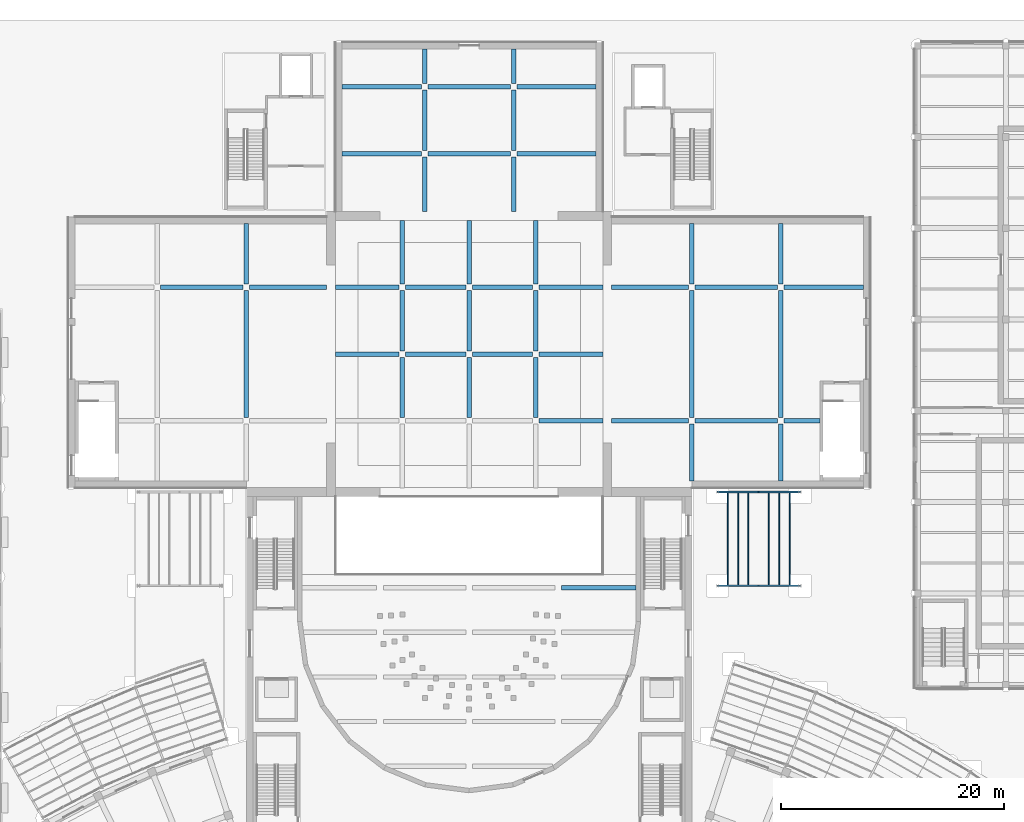
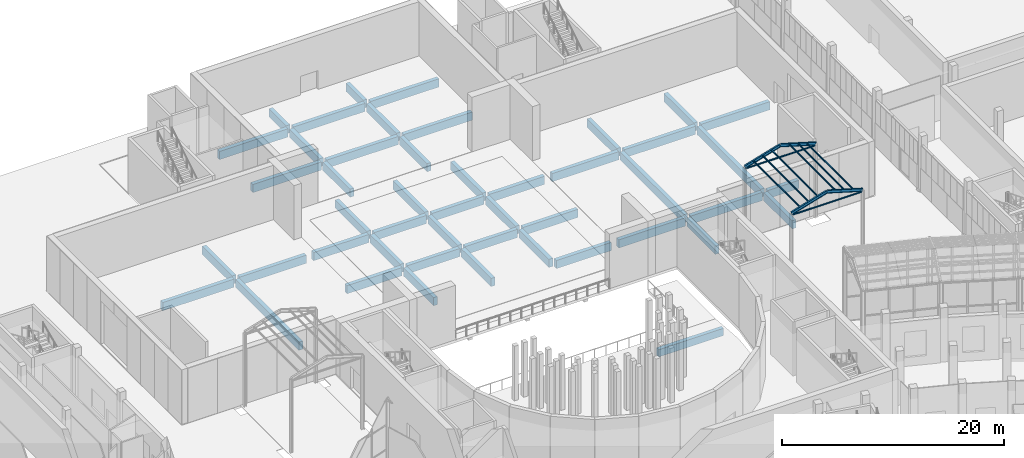
# One storey, part 48 of 155: 53 beams, 6 members.
"""IFC4 building model written with IfcOpenShell, lengths in metres."""

from ifc_helpers import new_model, si_unit, direction, frame, origin, origin_2d, place, context, subcontext, project, spatial, rectangle, hollow_rectangle, i_section, extrude, material, material_profile, profile_set, type_object, element, save


model = new_model("IFC4")

# Units and contexts
model_context = context("Model", 3, precision=1e-05, world=origin(), true_north=direction((0.0, 1.0)))
body_context = subcontext(model_context, "Body", "Model", "MODEL_VIEW")
ifc_project = project(units=[si_unit("LENGTHUNIT", "METRE"), si_unit("AREAUNIT", "SQUARE_METRE"), si_unit("VOLUMEUNIT", "CUBIC_METRE"), si_unit("PLANEANGLEUNIT", "RADIAN"), si_unit("MASSUNIT", "GRAM", prefix="KILO")], contexts=[model_context])

# Site, building, storey
site_placement = place(None, origin())
site = spatial("IfcSite", under=ifc_project, at=site_placement, CompositionType="ELEMENT")
building_placement = place(site_placement, origin())
building = spatial("IfcBuilding", under=site, at=building_placement, Name="Lunette Opera House", CompositionType="ELEMENT")
storey_placement = place(building_placement, origin())
storey = spatial("IfcBuildingStorey", under=building, at=storey_placement, Name="L00", CompositionType="ELEMENT", Elevation=0.0)

# Members
ifc_material_1 = material(Name="Steel S355", Category="steel")
ifc_material_profile_1 = material_profile(ifc_material_1, i_section(OverallWidth=0.08203125, OverallDepth=0.159912109375, WebThickness=0.0048828125, FlangeThickness=0.00732421875, FilletRadius=0.009033203125, at=origin_2d()), Name="IPE 160")
ifc_profile_set_1 = profile_set([ifc_material_profile_1], Name="Steel S355")
member_type = type_object("IfcMemberType", Name="PURLIN IPE 160", PredefinedType="PURLIN", material=ifc_profile_set_1)
for number, where, z_axis, x_axis, name in (
    (1, (119.22509765625, 87.199951171875, 8.47509765625), (0.0, 1.0, 0.0), (-1.0, 0.0, 0.0), "mem-PP-L00-PUFLE4A1872"),
    (2, (124.77490234375, 87.199951171875, 8.47509765625), (0.0, 1.0, 0.0), (-1.0, 0.0, 0.0), "mem-PP-L00-PUFLE4B1872"),
    (3, (120.14990234375, 87.199951171875, 8.75), (0.0, 1.0, 0.0), (-1.0, 0.0, 0.0), "mem-PP-L00-PUFLE4A2872"),
    (4, (123.85009765625, 87.199951171875, 8.75), (0.0, 1.0, 0.0), (-1.0, 0.0, 0.0), "mem-PP-L00-PUFLE4B2872"),
    (5, (121.074951171875, 87.199951171875, 9.02490234375), (0.0, 1.0, 0.0), (-1.0, 0.0, 0.0), "mem-PP-L00-PUFLE4A3872"),
    (6, (122.925048828125, 87.199951171875, 9.02490234375), (0.0, 1.0, 0.0), (-1.0, 0.0, 0.0), "mem-PP-L00-PUFLE4B3872"),
):
    element("IfcMember", number, at=place(storey_placement, frame(where, z_axis=z_axis, x_axis=x_axis)), inside=storey, type_object=member_type, Name=name, PredefinedType="PURLIN", context=body_context, shape_type="SweptSolid", body=[
        extrude(i_section(OverallWidth=0.08203125, OverallDepth=0.159912109375, WebThickness=0.0048828125, FlangeThickness=0.00732421875, FilletRadius=0.009033203125, at=origin_2d()), origin(), (0.0, 0.0, 1.0), 8.400146484375),
    ])

# Beams
ifc_material_2 = material(Name="Concrete C35/45", Category="concrete")
ifc_material_profile_2 = material_profile(ifc_material_2, rectangle(XDim=0.39990234375, YDim=0.800048828125, at=origin_2d()), Name="RC BEAM 400X800")
ifc_profile_set_2 = profile_set([ifc_material_profile_2], Name="Concrete C35/45")
beam_type_1 = type_object("IfcBeamType", Name="RC BEAM 400X800", PredefinedType="BEAM", material=ifc_profile_set_2)
beam_1_placement = place(storey_placement, frame((104.300048828125, 87.0, -2.10595703125), z_axis=(1.0, 0.0, 0.0), x_axis=(0.0, 1.0, 0.0)))
element("IfcBeam", 7, at=beam_1_placement, inside=storey, type_object=beam_type_1, Name="beam-AU-L00-ST87-4", PredefinedType="BEAM", context=body_context, shape_type="SweptSolid", body=[
    extrude(rectangle(XDim=0.39990234375, YDim=0.800048828125, at=origin_2d()), origin(), (0.0, 0.0, 1.0), 6.699951171875),
])
ifc_material_3 = material(Name="Concrete C35/45", Category="concrete")
ifc_material_profile_3 = material_profile(ifc_material_3, rectangle(XDim=0.39990234375, YDim=0.89990234375, at=origin_2d()), Name="RC BEAM 400X900")
ifc_profile_set_3 = profile_set([ifc_material_profile_3], Name="Concrete C35/45")
beam_type_2 = type_object("IfcBeamType", Name="RC BEAM 400X900", PredefinedType="BEAM", material=ifc_profile_set_3)
for number, where, z_axis, x_axis, name in (
    (8, (102.2900390625, 102.0, -0.75), (1.0, 0.0, 0.0), (0.0, 1.0, 0.0), "beam-ST-L00-TB1-X1020-4"),
    (9, (83.989990234375, 108.0, -0.75), (1.0, 0.0, 0.0), (0.0, 1.0, 0.0), "beam-ST-L00-TB1-X1080-1"),
):
    element("IfcBeam", number, at=place(storey_placement, frame(where, z_axis=z_axis, x_axis=x_axis)), inside=storey, type_object=beam_type_2, Name=name, PredefinedType="BEAM", context=body_context, shape_type="SweptSolid", body=[
        extrude(rectangle(XDim=0.39990234375, YDim=0.89990234375, at=origin_2d()), origin(), (0.0, 0.0, 1.0), 5.719970703125),
    ])
for number, where, z_axis, x_axis, name in (
    (10, (90.2900390625, 108.0, -0.75), (1.0, 0.0, 0.0), (0.0, 1.0, 0.0), "beam-ST-L00-TB1-X1080-2"),
    (11, (96.2900390625, 108.0, -0.75), (1.0, 0.0, 0.0), (0.0, 1.0, 0.0), "beam-ST-L00-TB1-X1080-3"),
):
    element("IfcBeam", number, at=place(storey_placement, frame(where, z_axis=z_axis, x_axis=x_axis)), inside=storey, type_object=beam_type_2, Name=name, PredefinedType="BEAM", context=body_context, shape_type="SweptSolid", body=[
        extrude(rectangle(XDim=0.39990234375, YDim=0.89990234375, at=origin_2d()), origin(), (0.0, 0.0, 1.0), 5.419921875),
    ])
for number, where, z_axis, x_axis, name in (
    (12, (102.2900390625, 108.0, -0.75), (1.0, 0.0, 0.0), (0.0, 1.0, 0.0), "beam-ST-L00-TB1-X1080-4"),
    (13, (83.989990234375, 114.0, -0.75), (1.0, 0.0, 0.0), (0.0, 1.0, 0.0), "beam-ST-L00-TB1-X1140-1"),
):
    element("IfcBeam", number, at=place(storey_placement, frame(where, z_axis=z_axis, x_axis=x_axis)), inside=storey, type_object=beam_type_2, Name=name, PredefinedType="BEAM", context=body_context, shape_type="SweptSolid", body=[
        extrude(rectangle(XDim=0.39990234375, YDim=0.89990234375, at=origin_2d()), origin(), (0.0, 0.0, 1.0), 5.719970703125),
    ])
for number, where, z_axis, x_axis, name in (
    (14, (90.2900390625, 114.0, -0.75), (1.0, 0.0, 0.0), (0.0, 1.0, 0.0), "beam-ST-L00-TB1-X1140-2"),
    (15, (96.2900390625, 114.0, -0.75), (1.0, 0.0, 0.0), (0.0, 1.0, 0.0), "beam-ST-L00-TB1-X1140-3"),
):
    element("IfcBeam", number, at=place(storey_placement, frame(where, z_axis=z_axis, x_axis=x_axis)), inside=storey, type_object=beam_type_2, Name=name, PredefinedType="BEAM", context=body_context, shape_type="SweptSolid", body=[
        extrude(rectangle(XDim=0.39990234375, YDim=0.89990234375, at=origin_2d()), origin(), (0.0, 0.0, 1.0), 5.419921875),
    ])
beam_2_placement = place(storey_placement, frame((102.2900390625, 114.0, -0.75), z_axis=(1.0, 0.0, 0.0), x_axis=(0.0, 1.0, 0.0)))
element("IfcBeam", 16, at=beam_2_placement, inside=storey, type_object=beam_type_2, Name="beam-ST-L00-TB1-X1140-4", PredefinedType="BEAM", context=body_context, shape_type="SweptSolid", body=[
    extrude(rectangle(XDim=0.39990234375, YDim=0.89990234375, at=origin_2d()), origin(), (0.0, 0.0, 1.0), 5.719970703125),
])
for number, where, z_axis, x_axis, name in (
    (17, (90.0, 102.2900390625, -0.75), (0.0, 1.0, 0.0), (-1.0, 0.0, 0.0), "beam-ST-L00-TB1-Y900-2"),
    (18, (90.0, 108.2900390625, -0.75), (0.0, 1.0, 0.0), (-1.0, 0.0, 0.0), "beam-ST-L00-TB1-Y900-3"),
):
    element("IfcBeam", number, at=place(storey_placement, frame(where, z_axis=z_axis, x_axis=x_axis)), inside=storey, type_object=beam_type_2, Name=name, PredefinedType="BEAM", context=body_context, shape_type="SweptSolid", body=[
        extrude(rectangle(XDim=0.39990234375, YDim=0.89990234375, at=origin_2d()), origin(), (0.0, 0.0, 1.0), 5.419921875),
    ])
beam_3_placement = place(storey_placement, frame((90.0, 114.2900390625, -0.75), z_axis=(0.0, 1.0, 0.0), x_axis=(-1.0, 0.0, 0.0)))
element("IfcBeam", 19, at=beam_3_placement, inside=storey, type_object=beam_type_2, Name="beam-ST-L00-TB1-Y900-4", PredefinedType="BEAM", context=body_context, shape_type="SweptSolid", body=[
    extrude(rectangle(XDim=0.39990234375, YDim=0.89990234375, at=origin_2d()), origin(), (0.0, 0.0, 1.0), 5.719970703125),
])
for number, where, z_axis, x_axis, name in (
    (20, (96.0, 102.2900390625, -0.75), (0.0, 1.0, 0.0), (-1.0, 0.0, 0.0), "beam-ST-L00-TB1-Y960-2"),
    (21, (96.0, 108.2900390625, -0.75), (0.0, 1.0, 0.0), (-1.0, 0.0, 0.0), "beam-ST-L00-TB1-Y960-3"),
):
    element("IfcBeam", number, at=place(storey_placement, frame(where, z_axis=z_axis, x_axis=x_axis)), inside=storey, type_object=beam_type_2, Name=name, PredefinedType="BEAM", context=body_context, shape_type="SweptSolid", body=[
        extrude(rectangle(XDim=0.39990234375, YDim=0.89990234375, at=origin_2d()), origin(), (0.0, 0.0, 1.0), 5.419921875),
    ])
beam_4_placement = place(storey_placement, frame((96.0, 114.2900390625, -0.75), z_axis=(0.0, 1.0, 0.0), x_axis=(-1.0, 0.0, 0.0)))
element("IfcBeam", 22, at=beam_4_placement, inside=storey, type_object=beam_type_2, Name="beam-ST-L00-TB1-Y960-4", PredefinedType="BEAM", context=body_context, shape_type="SweptSolid", body=[
    extrude(rectangle(XDim=0.39990234375, YDim=0.89990234375, at=origin_2d()), origin(), (0.0, 0.0, 1.0), 5.719970703125),
])
for number, where, z_axis, x_axis, name in (
    (23, (102.0, 102.2900390625, -0.75), (0.0, 1.0, 0.0), (-1.0, 0.0, 0.0), "beam-ST-L00-TB1-Y1020-2"),
    (24, (102.0, 108.2900390625, -0.75), (0.0, 1.0, 0.0), (-1.0, 0.0, 0.0), "beam-ST-L00-TB1-Y1020-3"),
):
    element("IfcBeam", number, at=place(storey_placement, frame(where, z_axis=z_axis, x_axis=x_axis)), inside=storey, type_object=beam_type_2, Name=name, PredefinedType="BEAM", context=body_context, shape_type="SweptSolid", body=[
        extrude(rectangle(XDim=0.39990234375, YDim=0.89990234375, at=origin_2d()), origin(), (0.0, 0.0, 1.0), 5.419921875),
    ])
beam_5_placement = place(storey_placement, frame((102.0, 114.2900390625, -0.75), z_axis=(0.0, 1.0, 0.0), x_axis=(-1.0, 0.0, 0.0)))
element("IfcBeam", 25, at=beam_5_placement, inside=storey, type_object=beam_type_2, Name="beam-ST-L00-TB1-Y1020-4", PredefinedType="BEAM", context=body_context, shape_type="SweptSolid", body=[
    extrude(rectangle(XDim=0.39990234375, YDim=0.89990234375, at=origin_2d()), origin(), (0.0, 0.0, 1.0), 5.719970703125),
])
beam_6_placement = place(storey_placement, frame((68.2900390625, 114.0, -0.75), z_axis=(1.0, 0.0, 0.0), x_axis=(0.0, 1.0, 0.0)))
element("IfcBeam", 26, at=beam_6_placement, inside=storey, type_object=beam_type_2, Name="beam-ST-L00-SW-X1140-2", PredefinedType="BEAM", context=body_context, shape_type="SweptSolid", body=[
    extrude(rectangle(XDim=0.39990234375, YDim=0.89990234375, at=origin_2d()), origin(), (0.0, 0.0, 1.0), 7.419921875),
])
beam_7_placement = place(storey_placement, frame((76.2900390625, 114.0, -0.75), z_axis=(1.0, 0.0, 0.0), x_axis=(0.0, 1.0, 0.0)))
element("IfcBeam", 27, at=beam_7_placement, inside=storey, type_object=beam_type_2, Name="beam-ST-L00-SW-X1140-3", PredefinedType="BEAM", context=body_context, shape_type="SweptSolid", body=[
    extrude(rectangle(XDim=0.39990234375, YDim=0.89990234375, at=origin_2d()), origin(), (0.0, 0.0, 1.0), 6.919921875),
])
beam_8_placement = place(storey_placement, frame((76.0, 102.2900390625, -0.75), z_axis=(0.0, 1.0, 0.0), x_axis=(-1.0, 0.0, 0.0)))
element("IfcBeam", 28, at=beam_8_placement, inside=storey, type_object=beam_type_2, Name="beam-ST-L00-SW-Y760-2", PredefinedType="BEAM", context=body_context, shape_type="SweptSolid", body=[
    extrude(rectangle(XDim=0.39990234375, YDim=0.89990234375, at=origin_2d()), origin(), (0.0, 0.0, 1.0), 11.419921875),
])
beam_9_placement = place(storey_placement, frame((76.0, 114.2900390625, -0.75), z_axis=(0.0, 1.0, 0.0), x_axis=(-1.0, 0.0, 0.0)))
element("IfcBeam", 29, at=beam_9_placement, inside=storey, type_object=beam_type_2, Name="beam-ST-L00-SW-Y760-3", PredefinedType="BEAM", context=body_context, shape_type="SweptSolid", body=[
    extrude(rectangle(XDim=0.39990234375, YDim=0.89990234375, at=origin_2d()), origin(), (0.0, 0.0, 1.0), 5.419921875),
])
beam_10_placement = place(storey_placement, frame((108.7900390625, 102.0, -0.75), z_axis=(1.0, 0.0, 0.0), x_axis=(0.0, 1.0, 0.0)))
element("IfcBeam", 30, at=beam_10_placement, inside=storey, type_object=beam_type_2, Name="beam-ST-L00-SE-X1020-1", PredefinedType="BEAM", context=body_context, shape_type="SweptSolid", body=[
    extrude(rectangle(XDim=0.39990234375, YDim=0.89990234375, at=origin_2d()), origin(), (0.0, 0.0, 1.0), 6.919921875),
])
beam_11_placement = place(storey_placement, frame((116.2900390625, 102.0, -0.75), z_axis=(1.0, 0.0, 0.0), x_axis=(0.0, 1.0, 0.0)))
element("IfcBeam", 31, at=beam_11_placement, inside=storey, type_object=beam_type_2, Name="beam-ST-L00-SE-X1020-2", PredefinedType="BEAM", context=body_context, shape_type="SweptSolid", body=[
    extrude(rectangle(XDim=0.39990234375, YDim=0.89990234375, at=origin_2d()), origin(), (0.0, 0.0, 1.0), 7.419921875),
])
beam_12_placement = place(storey_placement, frame((124.2900390625, 102.0, -0.75), z_axis=(1.0, 0.0, 0.0), x_axis=(0.0, 1.0, 0.0)))
element("IfcBeam", 32, at=beam_12_placement, inside=storey, type_object=beam_type_2, Name="beam-ST-L00-SE-X1020-3", PredefinedType="BEAM", context=body_context, shape_type="SweptSolid", body=[
    extrude(rectangle(XDim=0.39990234375, YDim=0.89990234375, at=origin_2d()), origin(), (0.0, 0.0, 1.0), 3.219970703125),
])
beam_13_placement = place(storey_placement, frame((108.7900390625, 114.0, -0.75), z_axis=(1.0, 0.0, 0.0), x_axis=(0.0, 1.0, 0.0)))
element("IfcBeam", 33, at=beam_13_placement, inside=storey, type_object=beam_type_2, Name="beam-ST-L00-SE-X1140-1", PredefinedType="BEAM", context=body_context, shape_type="SweptSolid", body=[
    extrude(rectangle(XDim=0.39990234375, YDim=0.89990234375, at=origin_2d()), origin(), (0.0, 0.0, 1.0), 6.919921875),
])
beam_14_placement = place(storey_placement, frame((116.2900390625, 114.0, -0.75), z_axis=(1.0, 0.0, 0.0), x_axis=(0.0, 1.0, 0.0)))
element("IfcBeam", 34, at=beam_14_placement, inside=storey, type_object=beam_type_2, Name="beam-ST-L00-SE-X1140-2", PredefinedType="BEAM", context=body_context, shape_type="SweptSolid", body=[
    extrude(rectangle(XDim=0.39990234375, YDim=0.89990234375, at=origin_2d()), origin(), (0.0, 0.0, 1.0), 7.419921875),
])
beam_15_placement = place(storey_placement, frame((124.2900390625, 114.0, -0.75), z_axis=(1.0, 0.0, 0.0), x_axis=(0.0, 1.0, 0.0)))
element("IfcBeam", 35, at=beam_15_placement, inside=storey, type_object=beam_type_2, Name="beam-ST-L00-SE-X1140-3", PredefinedType="BEAM", context=body_context, shape_type="SweptSolid", body=[
    extrude(rectangle(XDim=0.39990234375, YDim=0.89990234375, at=origin_2d()), origin(), (0.0, 0.0, 1.0), 7.119873046875),
])
beam_16_placement = place(storey_placement, frame((116.0, 96.590087890625, -0.75), z_axis=(0.0, 1.0, 0.0), x_axis=(-1.0, 0.0, 0.0)))
element("IfcBeam", 36, at=beam_16_placement, inside=storey, type_object=beam_type_2, Name="beam-ST-L00-SE-Y1160-1", PredefinedType="BEAM", context=body_context, shape_type="SweptSolid", body=[
    extrude(rectangle(XDim=0.39990234375, YDim=0.89990234375, at=origin_2d()), origin(), (0.0, 0.0, 1.0), 5.119873046875),
])
beam_17_placement = place(storey_placement, frame((116.0, 102.2900390625, -0.75), z_axis=(0.0, 1.0, 0.0), x_axis=(-1.0, 0.0, 0.0)))
element("IfcBeam", 37, at=beam_17_placement, inside=storey, type_object=beam_type_2, Name="beam-ST-L00-SE-Y1160-2", PredefinedType="BEAM", context=body_context, shape_type="SweptSolid", body=[
    extrude(rectangle(XDim=0.39990234375, YDim=0.89990234375, at=origin_2d()), origin(), (0.0, 0.0, 1.0), 11.419921875),
])
beam_18_placement = place(storey_placement, frame((116.0, 114.2900390625, -0.75), z_axis=(0.0, 1.0, 0.0), x_axis=(-1.0, 0.0, 0.0)))
element("IfcBeam", 38, at=beam_18_placement, inside=storey, type_object=beam_type_2, Name="beam-ST-L00-SE-Y1160-3", PredefinedType="BEAM", context=body_context, shape_type="SweptSolid", body=[
    extrude(rectangle(XDim=0.39990234375, YDim=0.89990234375, at=origin_2d()), origin(), (0.0, 0.0, 1.0), 5.419921875),
])
beam_19_placement = place(storey_placement, frame((124.0, 96.590087890625, -0.75), z_axis=(0.0, 1.0, 0.0), x_axis=(-1.0, 0.0, 0.0)))
element("IfcBeam", 39, at=beam_19_placement, inside=storey, type_object=beam_type_2, Name="beam-ST-L00-SE-Y1240-1", PredefinedType="BEAM", context=body_context, shape_type="SweptSolid", body=[
    extrude(rectangle(XDim=0.39990234375, YDim=0.89990234375, at=origin_2d()), origin(), (0.0, 0.0, 1.0), 5.119873046875),
])
beam_20_placement = place(storey_placement, frame((124.0, 102.2900390625, -0.75), z_axis=(0.0, 1.0, 0.0), x_axis=(-1.0, 0.0, 0.0)))
element("IfcBeam", 40, at=beam_20_placement, inside=storey, type_object=beam_type_2, Name="beam-ST-L00-SE-Y1240-2", PredefinedType="BEAM", context=body_context, shape_type="SweptSolid", body=[
    extrude(rectangle(XDim=0.39990234375, YDim=0.89990234375, at=origin_2d()), origin(), (0.0, 0.0, 1.0), 11.419921875),
])
beam_21_placement = place(storey_placement, frame((124.0, 114.2900390625, -0.75), z_axis=(0.0, 1.0, 0.0), x_axis=(-1.0, 0.0, 0.0)))
element("IfcBeam", 41, at=beam_21_placement, inside=storey, type_object=beam_type_2, Name="beam-ST-L00-SE-Y1240-3", PredefinedType="BEAM", context=body_context, shape_type="SweptSolid", body=[
    extrude(rectangle(XDim=0.39990234375, YDim=0.89990234375, at=origin_2d()), origin(), (0.0, 0.0, 1.0), 5.419921875),
])
beam_22_placement = place(storey_placement, frame((84.590087890625, 126.0, -0.75), z_axis=(1.0, 0.0, 0.0), x_axis=(0.0, 1.0, 0.0)))
element("IfcBeam", 42, at=beam_22_placement, inside=storey, type_object=beam_type_2, Name="beam-ST-L00-SR-X1260-1", PredefinedType="BEAM", context=body_context, shape_type="SweptSolid", body=[
    extrude(rectangle(XDim=0.39990234375, YDim=0.89990234375, at=origin_2d()), origin(), (0.0, 0.0, 1.0), 7.119873046875),
])
beam_23_placement = place(storey_placement, frame((92.2900390625, 126.0, -0.75), z_axis=(1.0, 0.0, 0.0), x_axis=(0.0, 1.0, 0.0)))
element("IfcBeam", 43, at=beam_23_placement, inside=storey, type_object=beam_type_2, Name="beam-ST-L00-SR-X1260-2", PredefinedType="BEAM", context=body_context, shape_type="SweptSolid", body=[
    extrude(rectangle(XDim=0.39990234375, YDim=0.89990234375, at=origin_2d()), origin(), (0.0, 0.0, 1.0), 7.419921875),
])
for number, where, z_axis, x_axis, name in (
    (44, (100.2900390625, 126.0, -0.75), (1.0, 0.0, 0.0), (0.0, 1.0, 0.0), "beam-ST-L00-SR-X1260-3"),
    (45, (84.590087890625, 132.0, -0.75), (1.0, 0.0, 0.0), (0.0, 1.0, 0.0), "beam-ST-L00-SR-X1320-1"),
):
    element("IfcBeam", number, at=place(storey_placement, frame(where, z_axis=z_axis, x_axis=x_axis)), inside=storey, type_object=beam_type_2, Name=name, PredefinedType="BEAM", context=body_context, shape_type="SweptSolid", body=[
        extrude(rectangle(XDim=0.39990234375, YDim=0.89990234375, at=origin_2d()), origin(), (0.0, 0.0, 1.0), 7.119873046875),
    ])
beam_24_placement = place(storey_placement, frame((92.2900390625, 132.0, -0.75), z_axis=(1.0, 0.0, 0.0), x_axis=(0.0, 1.0, 0.0)))
element("IfcBeam", 46, at=beam_24_placement, inside=storey, type_object=beam_type_2, Name="beam-ST-L00-SR-X1320-2", PredefinedType="BEAM", context=body_context, shape_type="SweptSolid", body=[
    extrude(rectangle(XDim=0.39990234375, YDim=0.89990234375, at=origin_2d()), origin(), (0.0, 0.0, 1.0), 7.419921875),
])
beam_25_placement = place(storey_placement, frame((100.2900390625, 132.0, -0.75), z_axis=(1.0, 0.0, 0.0), x_axis=(0.0, 1.0, 0.0)))
element("IfcBeam", 47, at=beam_25_placement, inside=storey, type_object=beam_type_2, Name="beam-ST-L00-SR-X1320-3", PredefinedType="BEAM", context=body_context, shape_type="SweptSolid", body=[
    extrude(rectangle(XDim=0.39990234375, YDim=0.89990234375, at=origin_2d()), origin(), (0.0, 0.0, 1.0), 7.119873046875),
])
beam_26_placement = place(storey_placement, frame((92.0, 120.7900390625, -0.75), z_axis=(0.0, 1.0, 0.0), x_axis=(-1.0, 0.0, 0.0)))
element("IfcBeam", 48, at=beam_26_placement, inside=storey, type_object=beam_type_2, Name="beam-ST-L00-SR-Y920-1", PredefinedType="BEAM", context=body_context, shape_type="SweptSolid", body=[
    extrude(rectangle(XDim=0.39990234375, YDim=0.89990234375, at=origin_2d()), origin(), (0.0, 0.0, 1.0), 4.919921875),
])
beam_27_placement = place(storey_placement, frame((92.0, 126.2900390625, -0.75), z_axis=(0.0, 1.0, 0.0), x_axis=(-1.0, 0.0, 0.0)))
element("IfcBeam", 49, at=beam_27_placement, inside=storey, type_object=beam_type_2, Name="beam-ST-L00-SR-Y920-2", PredefinedType="BEAM", context=body_context, shape_type="SweptSolid", body=[
    extrude(rectangle(XDim=0.39990234375, YDim=0.89990234375, at=origin_2d()), origin(), (0.0, 0.0, 1.0), 5.419921875),
])
beam_28_placement = place(storey_placement, frame((92.0, 132.2900390625, -0.75), z_axis=(0.0, 1.0, 0.0), x_axis=(-1.0, 0.0, 0.0)))
element("IfcBeam", 50, at=beam_28_placement, inside=storey, type_object=beam_type_2, Name="beam-ST-L00-SR-Y920-3", PredefinedType="BEAM", context=body_context, shape_type="SweptSolid", body=[
    extrude(rectangle(XDim=0.39990234375, YDim=0.89990234375, at=origin_2d()), origin(), (0.0, 0.0, 1.0), 3.119873046875),
])
beam_29_placement = place(storey_placement, frame((100.0, 120.7900390625, -0.75), z_axis=(0.0, 1.0, 0.0), x_axis=(-1.0, 0.0, 0.0)))
element("IfcBeam", 51, at=beam_29_placement, inside=storey, type_object=beam_type_2, Name="beam-ST-L00-SR-Y1000-1", PredefinedType="BEAM", context=body_context, shape_type="SweptSolid", body=[
    extrude(rectangle(XDim=0.39990234375, YDim=0.89990234375, at=origin_2d()), origin(), (0.0, 0.0, 1.0), 4.919921875),
])
beam_30_placement = place(storey_placement, frame((100.0, 126.2900390625, -0.75), z_axis=(0.0, 1.0, 0.0), x_axis=(-1.0, 0.0, 0.0)))
element("IfcBeam", 52, at=beam_30_placement, inside=storey, type_object=beam_type_2, Name="beam-ST-L00-SR-Y1000-2", PredefinedType="BEAM", context=body_context, shape_type="SweptSolid", body=[
    extrude(rectangle(XDim=0.39990234375, YDim=0.89990234375, at=origin_2d()), origin(), (0.0, 0.0, 1.0), 5.419921875),
])
beam_31_placement = place(storey_placement, frame((100.0, 132.2900390625, -0.75), z_axis=(0.0, 1.0, 0.0), x_axis=(-1.0, 0.0, 0.0)))
element("IfcBeam", 53, at=beam_31_placement, inside=storey, type_object=beam_type_2, Name="beam-ST-L00-SR-Y1000-3", PredefinedType="BEAM", context=body_context, shape_type="SweptSolid", body=[
    extrude(rectangle(XDim=0.39990234375, YDim=0.89990234375, at=origin_2d()), origin(), (0.0, 0.0, 1.0), 3.119873046875),
])
ifc_material_4 = material(Name="Steel S355", Category="steel")
ifc_material_profile_4 = material_profile(ifc_material_4, i_section(OverallWidth=0.159912109375, OverallDepth=0.330078125, WebThickness=0.007568359375, FlangeThickness=0.011474609375, FilletRadius=0.01806640625, at=origin_2d()), Name="IPE 330")
ifc_profile_set_4 = profile_set([ifc_material_profile_4], Name="Steel S355")
beam_type_3 = type_object("IfcBeamType", Name="STEEL BEAM IPE 330", PredefinedType="BEAM", material=ifc_profile_set_4)
for number, where, z_axis, x_axis, name in (
    (54, (118.300048828125, 87.199951171875, 8.14990234375), (0.95852841803, 0.0, 0.284996968106), (0.0, 1.0, 0.0), "beam-PP-L00-FRE3A"),
    (55, (125.699951171875, 87.199951171875, 8.14990234375), (-0.95852841803, 0.0, 0.284996968106), (0.0, -1.0, 0.0), "beam-PP-L00-FRE3B"),
    (56, (118.300048828125, 95.60009765625, 8.14990234375), (0.95852841803, 0.0, 0.284996968106), (0.0, 1.0, 0.0), "beam-PP-L00-FRE4A"),
    (57, (125.699951171875, 95.60009765625, 8.14990234375), (-0.95852841803, 0.0, 0.284996968106), (0.0, -1.0, 0.0), "beam-PP-L00-FRE4B"),
):
    element("IfcBeam", number, at=place(storey_placement, frame(where, z_axis=z_axis, x_axis=x_axis)), inside=storey, type_object=beam_type_3, Name=name, PredefinedType="BEAM", context=body_context, shape_type="SweptSolid", body=[
        extrude(i_section(OverallWidth=0.159912109375, OverallDepth=0.330078125, WebThickness=0.007568359375, FlangeThickness=0.011474609375, FilletRadius=0.01806640625, at=origin_2d()), origin(), (0.0, 0.0, 1.0), 3.860107421875),
    ])
ifc_material_5 = material(Name="Steel S355", Category="steel")
ifc_material_profile_5 = material_profile(ifc_material_5, hollow_rectangle(XDim=0.1201171875, YDim=0.1201171875, WallThickness=0.006103515625, InnerFilletRadius=0.006103515625, OuterFilletRadius=0.011962890625, at=origin_2d()), Name="RHS 120X120X6")
ifc_profile_set_5 = profile_set([ifc_material_profile_5], Name="Steel S355")
beam_type_4 = type_object("IfcBeamType", Name="STEEL BEAM RHS 120X120X6", PredefinedType="BEAM", material=ifc_profile_set_5)
for number, where, z_axis, x_axis, name in (
    (58, (118.4150390625, 87.199951171875, 7.949951171875), (1.0, 0.0, 0.0), (0.0, 1.0, 0.0), "beam-PP-L00-FTE3"),
    (59, (118.4150390625, 95.60009765625, 7.949951171875), (1.0, 0.0, 0.0), (0.0, 1.0, 0.0), "beam-PP-L00-FTE4"),
):
    element("IfcBeam", number, at=place(storey_placement, frame(where, z_axis=z_axis, x_axis=x_axis)), inside=storey, type_object=beam_type_4, Name=name, PredefinedType="BEAM", context=body_context, shape_type="SweptSolid", body=[
        extrude(hollow_rectangle(XDim=0.1201171875, YDim=0.1201171875, WallThickness=0.006103515625, InnerFilletRadius=0.006103515625, OuterFilletRadius=0.011962890625, at=origin_2d()), origin(), (0.0, 0.0, 1.0), 7.169921875),
    ])

save(model, "model.ifc")
